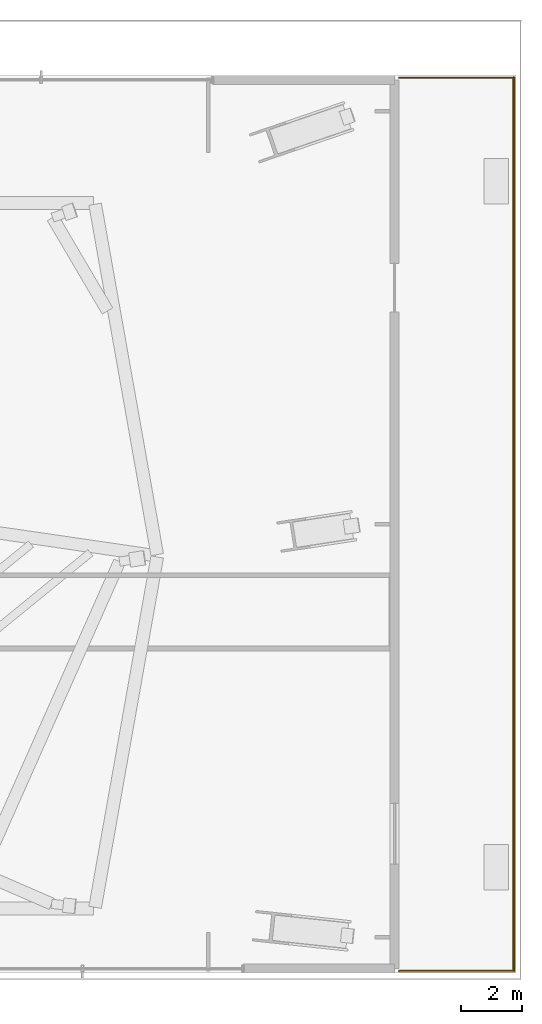
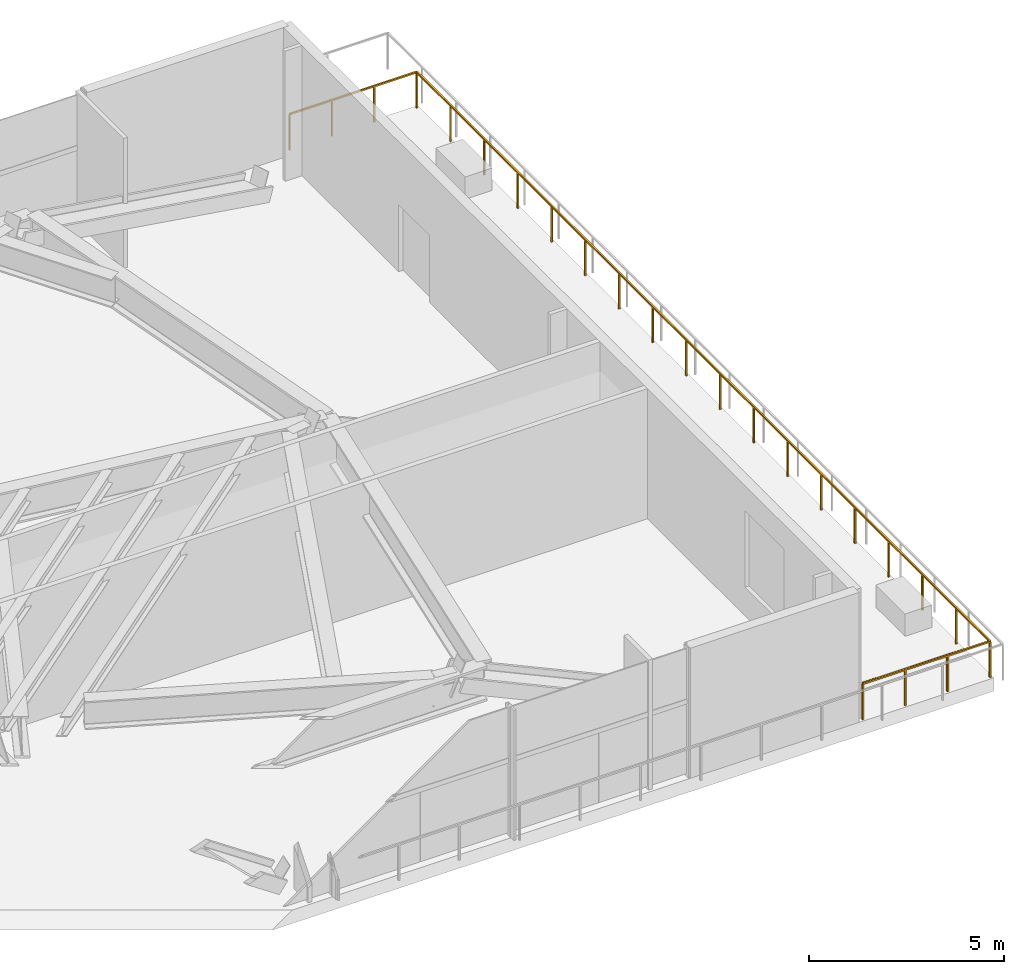
# One storey, part 28 of 29: 2 railings.
"""IFC4 building model written with IfcOpenShell, lengths in metres."""

from ifc_helpers import new_model, si_unit, direction, frame, origin, origin_2d, place, context, subcontext, project, spatial, rectangle, extrude, source, transform, mapped, material, type_object, type_shapes, element, save


model = new_model("IFC4")

# Units and contexts
model_context = context("Model", 3, precision=1e-05, world=origin(), true_north=direction((0.0, 1.0)))
body_context = subcontext(model_context, "Body", "Model", "MODEL_VIEW")
ifc_project = project(units=[si_unit("LENGTHUNIT", "METRE"), si_unit("AREAUNIT", "SQUARE_METRE"), si_unit("VOLUMEUNIT", "CUBIC_METRE"), si_unit("PLANEANGLEUNIT", "RADIAN"), si_unit("MASSUNIT", "GRAM", prefix="KILO")], contexts=[model_context])

# Site, building, storey
site_placement = place(None, origin())
site = spatial("IfcSite", under=ifc_project, at=site_placement, CompositionType="ELEMENT")
building_placement = place(site_placement, origin())
building = spatial("IfcBuilding", under=site, at=building_placement, Name="Astriad Promenade Condominiums", CompositionType="ELEMENT")
storey_placement = place(building_placement, frame((0.0, 0.0, 18.5)))
storey = spatial("IfcBuildingStorey", under=building, at=storey_placement, Name="L04", CompositionType="ELEMENT", Elevation=18.5)

# Railings
ifc_material = material(Name="Anodised Aluminium and Glass Terrace Guardrail", Category="aluminium")
railing_type = type_object("IfcRailingType", Name="GRD-TERR-1150", PredefinedType="GUARDRAIL", material=ifc_material)
shared_shape_1 = source(origin(), body_context, "Body", "SweptSolid", [
    extrude(rectangle(XDim=0.048095703125, YDim=0.048095703125, at=origin_2d()), frame((0.0, 0.0, 1.1259765625), z_axis=(1.0, 0.0, 0.0), x_axis=(0.0, 1.0, 0.0)), (0.0, 0.0, 1.0), 3.77001953125),
    extrude(rectangle(XDim=0.048095703125, YDim=0.048095703125, at=origin_2d()), frame((3.77001953125, 0.0, 1.1259765625), z_axis=(0.0, 1.0, 0.0), x_axis=(-1.0, 0.0, 0.0)), (0.0, 0.0, 1.0), 29.440185546875),
    extrude(rectangle(XDim=0.048095703125, YDim=0.048095703125, at=origin_2d()), frame((3.77001953125, 29.440185546875, 1.1259765625), z_axis=(-1.0, 0.0, 0.0), x_axis=(0.0, -1.0, 0.0)), (0.0, 0.0, 1.0), 3.77001953125),
    extrude(rectangle(XDim=0.0419921875, YDim=0.0419921875, at=origin_2d()), origin(), (0.0, 0.0, 1.0), 1.101806640625),
    extrude(rectangle(XDim=0.0419921875, YDim=0.0419921875, at=origin_2d()), frame((1.256591796875, 0.0, 0.0)), (0.0, 0.0, 1.0), 1.101806640625),
    extrude(rectangle(XDim=0.0419921875, YDim=0.0419921875, at=origin_2d()), frame((2.513427734375, 0.0, 0.0)), (0.0, 0.0, 1.0), 1.101806640625),
    extrude(rectangle(XDim=0.0419921875, YDim=0.0419921875, at=origin_2d()), frame((3.77001953125, 0.0, 0.0)), (0.0, 0.0, 1.0), 1.101806640625),
    extrude(rectangle(XDim=0.0419921875, YDim=0.0419921875, at=origin_2d()), frame((3.77001953125, 1.731689453125, 0.0)), (0.0, 0.0, 1.0), 1.101806640625),
    extrude(rectangle(XDim=0.0419921875, YDim=0.0419921875, at=origin_2d()), frame((3.77001953125, 3.463623046875, 0.0)), (0.0, 0.0, 1.0), 1.101806640625),
    extrude(rectangle(XDim=0.0419921875, YDim=0.0419921875, at=origin_2d()), frame((3.77001953125, 5.1953125, 0.0)), (0.0, 0.0, 1.0), 1.101806640625),
    extrude(rectangle(XDim=0.0419921875, YDim=0.0419921875, at=origin_2d()), frame((3.77001953125, 6.927001953125, 0.0)), (0.0, 0.0, 1.0), 1.101806640625),
    extrude(rectangle(XDim=0.0419921875, YDim=0.0419921875, at=origin_2d()), frame((3.77001953125, 8.658935546875, 0.0)), (0.0, 0.0, 1.0), 1.101806640625),
    extrude(rectangle(XDim=0.0419921875, YDim=0.0419921875, at=origin_2d()), frame((3.77001953125, 10.390625, 0.0)), (0.0, 0.0, 1.0), 1.101806640625),
    extrude(rectangle(XDim=0.0419921875, YDim=0.0419921875, at=origin_2d()), frame((3.77001953125, 12.122314453125, 0.0)), (0.0, 0.0, 1.0), 1.101806640625),
    extrude(rectangle(XDim=0.0419921875, YDim=0.0419921875, at=origin_2d()), frame((3.77001953125, 13.854248046875, 0.0)), (0.0, 0.0, 1.0), 1.101806640625),
    extrude(rectangle(XDim=0.0419921875, YDim=0.0419921875, at=origin_2d()), frame((3.77001953125, 15.5859375, 0.0)), (0.0, 0.0, 1.0), 1.101806640625),
    extrude(rectangle(XDim=0.0419921875, YDim=0.0419921875, at=origin_2d()), frame((3.77001953125, 17.31787109375, 0.0)), (0.0, 0.0, 1.0), 1.101806640625),
    extrude(rectangle(XDim=0.0419921875, YDim=0.0419921875, at=origin_2d()), frame((3.77001953125, 19.049560546875, 0.0)), (0.0, 0.0, 1.0), 1.101806640625),
    extrude(rectangle(XDim=0.0419921875, YDim=0.0419921875, at=origin_2d()), frame((3.77001953125, 20.78125, 0.0)), (0.0, 0.0, 1.0), 1.101806640625),
    extrude(rectangle(XDim=0.0419921875, YDim=0.0419921875, at=origin_2d()), frame((3.77001953125, 22.51318359375, 0.0)), (0.0, 0.0, 1.0), 1.101806640625),
    extrude(rectangle(XDim=0.0419921875, YDim=0.0419921875, at=origin_2d()), frame((3.77001953125, 24.244873046875, 0.0)), (0.0, 0.0, 1.0), 1.101806640625),
    extrude(rectangle(XDim=0.0419921875, YDim=0.0419921875, at=origin_2d()), frame((3.77001953125, 25.9765625, 0.0)), (0.0, 0.0, 1.0), 1.101806640625),
    extrude(rectangle(XDim=0.0419921875, YDim=0.0419921875, at=origin_2d()), frame((3.77001953125, 27.70849609375, 0.0)), (0.0, 0.0, 1.0), 1.101806640625),
    extrude(rectangle(XDim=0.0419921875, YDim=0.0419921875, at=origin_2d()), frame((3.77001953125, 29.440185546875, 0.0)), (0.0, 0.0, 1.0), 1.101806640625),
    extrude(rectangle(XDim=0.0419921875, YDim=0.0419921875, at=origin_2d()), frame((2.513427734375, 29.440185546875, 0.0)), (0.0, 0.0, 1.0), 1.101806640625),
    extrude(rectangle(XDim=0.0419921875, YDim=0.0419921875, at=origin_2d()), frame((1.256591796875, 29.440185546875, 0.0)), (0.0, 0.0, 1.0), 1.101806640625),
    extrude(rectangle(XDim=0.0419921875, YDim=0.0419921875, at=origin_2d()), frame((0.0, 29.440185546875, 0.0)), (0.0, 0.0, 1.0), 1.101806640625),
])
railing_1_placement = place(storey_placement, frame((67.60009765625, 1.679931640625, 0.0)))
element("IfcRailing", 1, at=railing_1_placement, inside=storey, type_object=railing_type, Name="GRD-TER-L04-1", PredefinedType="GUARDRAIL", context=body_context, shape_type="MappedRepresentation", body=[
    mapped(shared_shape_1, transform((0.0, 0.0, 0.0), scale=1.0)),
])
shared_shape_2 = source(origin(), body_context, "Body", "SweptSolid", [
    extrude(rectangle(XDim=0.048095703125, YDim=0.048095703125, at=origin_2d()), frame((0.0, 0.0, 1.1259765625), z_axis=(1.0, 0.0, 0.0), x_axis=(0.0, 1.0, 0.0)), (0.0, 0.0, 1.0), 3.77978515625),
    extrude(rectangle(XDim=0.048095703125, YDim=0.048095703125, at=origin_2d()), frame((3.77978515625, 0.0, 1.1259765625), z_axis=(0.0, 1.0, 0.0), x_axis=(-1.0, 0.0, 0.0)), (0.0, 0.0, 1.0), 29.4619140625),
    extrude(rectangle(XDim=0.0419921875, YDim=0.0419921875, at=origin_2d()), origin(), (0.0, 0.0, 1.0), 1.101806640625),
    extrude(rectangle(XDim=0.0419921875, YDim=0.0419921875, at=origin_2d()), frame((1.260009765625, 0.0, 0.0)), (0.0, 0.0, 1.0), 1.101806640625),
    extrude(rectangle(XDim=0.0419921875, YDim=0.0419921875, at=origin_2d()), frame((2.519775390625, 0.0, 0.0)), (0.0, 0.0, 1.0), 1.101806640625),
    extrude(rectangle(XDim=0.0419921875, YDim=0.0419921875, at=origin_2d()), frame((3.77978515625, 0.0, 0.0)), (0.0, 0.0, 1.0), 1.101806640625),
    extrude(rectangle(XDim=0.0419921875, YDim=0.0419921875, at=origin_2d()), frame((3.77978515625, 1.733154296875, 0.0)), (0.0, 0.0, 1.0), 1.101806640625),
    extrude(rectangle(XDim=0.0419921875, YDim=0.0419921875, at=origin_2d()), frame((3.77978515625, 3.466064453125, 0.0)), (0.0, 0.0, 1.0), 1.101806640625),
    extrude(rectangle(XDim=0.0419921875, YDim=0.0419921875, at=origin_2d()), frame((3.77978515625, 5.19921875, 0.0)), (0.0, 0.0, 1.0), 1.101806640625),
    extrude(rectangle(XDim=0.0419921875, YDim=0.0419921875, at=origin_2d()), frame((3.77978515625, 6.93212890625, 0.0)), (0.0, 0.0, 1.0), 1.101806640625),
    extrude(rectangle(XDim=0.0419921875, YDim=0.0419921875, at=origin_2d()), frame((3.77978515625, 8.665283203125, 0.0)), (0.0, 0.0, 1.0), 1.101806640625),
    extrude(rectangle(XDim=0.0419921875, YDim=0.0419921875, at=origin_2d()), frame((3.77978515625, 10.3984375, 0.0)), (0.0, 0.0, 1.0), 1.101806640625),
    extrude(rectangle(XDim=0.0419921875, YDim=0.0419921875, at=origin_2d()), frame((3.77978515625, 12.13134765625, 0.0)), (0.0, 0.0, 1.0), 1.101806640625),
    extrude(rectangle(XDim=0.0419921875, YDim=0.0419921875, at=origin_2d()), frame((3.77978515625, 13.864501953125, 0.0)), (0.0, 0.0, 1.0), 1.101806640625),
    extrude(rectangle(XDim=0.0419921875, YDim=0.0419921875, at=origin_2d()), frame((3.77978515625, 15.597412109375, 0.0)), (0.0, 0.0, 1.0), 1.101806640625),
    extrude(rectangle(XDim=0.0419921875, YDim=0.0419921875, at=origin_2d()), frame((3.77978515625, 17.33056640625, 0.0)), (0.0, 0.0, 1.0), 1.101806640625),
    extrude(rectangle(XDim=0.0419921875, YDim=0.0419921875, at=origin_2d()), frame((3.77978515625, 19.0634765625, 0.0)), (0.0, 0.0, 1.0), 1.101806640625),
    extrude(rectangle(XDim=0.0419921875, YDim=0.0419921875, at=origin_2d()), frame((3.77978515625, 20.796630859375, 0.0)), (0.0, 0.0, 1.0), 1.101806640625),
    extrude(rectangle(XDim=0.0419921875, YDim=0.0419921875, at=origin_2d()), frame((3.77978515625, 22.52978515625, 0.0)), (0.0, 0.0, 1.0), 1.101806640625),
    extrude(rectangle(XDim=0.0419921875, YDim=0.0419921875, at=origin_2d()), frame((3.77978515625, 24.2626953125, 0.0)), (0.0, 0.0, 1.0), 1.101806640625),
    extrude(rectangle(XDim=0.0419921875, YDim=0.0419921875, at=origin_2d()), frame((3.77978515625, 25.995849609375, 0.0)), (0.0, 0.0, 1.0), 1.101806640625),
    extrude(rectangle(XDim=0.0419921875, YDim=0.0419921875, at=origin_2d()), frame((3.77978515625, 27.728759765625, 0.0)), (0.0, 0.0, 1.0), 1.101806640625),
    extrude(rectangle(XDim=0.0419921875, YDim=0.0419921875, at=origin_2d()), frame((3.77978515625, 29.4619140625, 0.0)), (0.0, 0.0, 1.0), 1.101806640625),
])
type_shapes(railing_type, [shared_shape_1, shared_shape_2])
railing_2_placement = place(storey_placement, frame((67.60009765625, 1.669921875, 0.0)))
element("IfcRailing", 2, at=railing_2_placement, inside=storey, type_object=railing_type, Name="GRD-PSTEP-L04-03", PredefinedType="GUARDRAIL", context=body_context, shape_type="MappedRepresentation", body=[
    mapped(shared_shape_2, transform((0.0, 0.0, 0.0), scale=1.0)),
])

save(model, "model.ifc")
